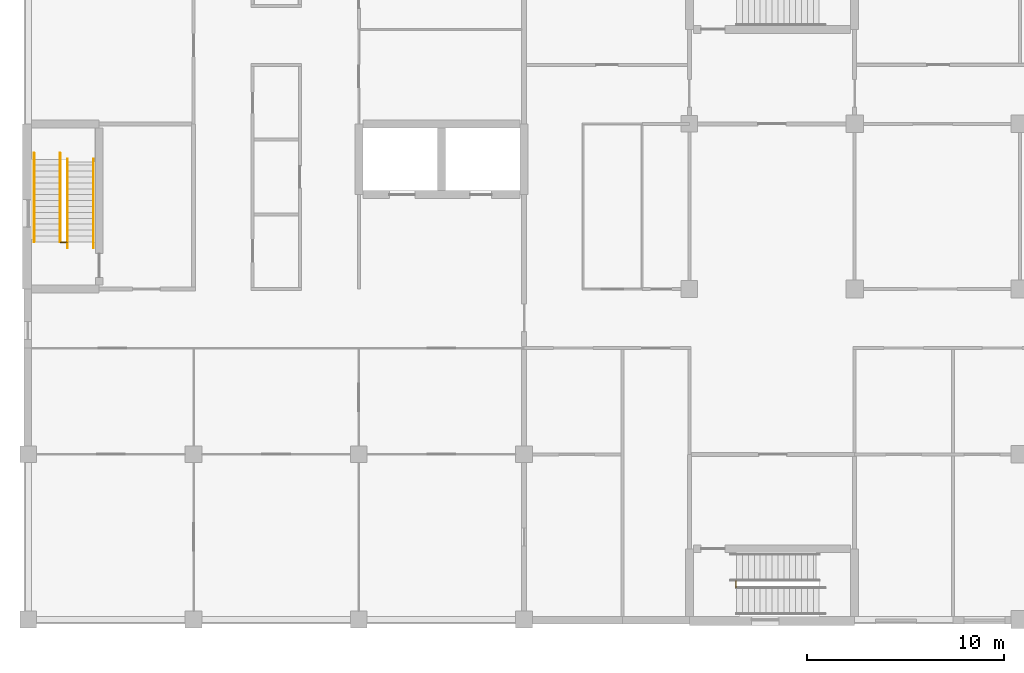
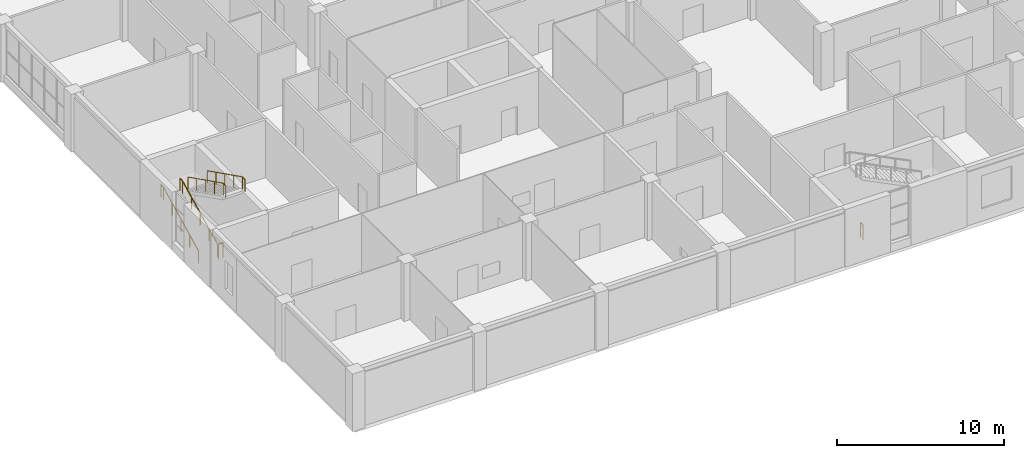
# One storey, part 57 of 66: 6 railings.
"""IFC4 building model written with IfcOpenShell, lengths in metres."""

from ifc_helpers import new_model, si_unit, direction, frame, origin, origin_2d, place, context, subcontext, project, spatial, circle, extrude, material, type_object, element, save


model = new_model("IFC4")

# Units and contexts
model_context = context("Model", 3, precision=1e-05, world=origin(), true_north=direction((0.0, 1.0)))
body_context = subcontext(model_context, "Body", "Model", "MODEL_VIEW")
ifc_project = project(units=[si_unit("LENGTHUNIT", "METRE"), si_unit("AREAUNIT", "SQUARE_METRE"), si_unit("VOLUMEUNIT", "CUBIC_METRE"), si_unit("PLANEANGLEUNIT", "RADIAN"), si_unit("MASSUNIT", "GRAM", prefix="KILO")], contexts=[model_context])

# Site, building, storey
site_placement = place(None, origin())
site = spatial("IfcSite", under=ifc_project, at=site_placement, CompositionType="ELEMENT")
building_placement = place(site_placement, origin())
building = spatial("IfcBuilding", under=site, at=building_placement, Name="Yavir Park General Hospital", CompositionType="ELEMENT")
storey_placement = place(building_placement, frame((0.0, 0.0, 8.39990234375)))
storey = spatial("IfcBuildingStorey", under=building, at=storey_placement, Name="L02", CompositionType="ELEMENT", Elevation=8.39990234375)

# Railings
ifc_material_1 = material(Name="Steel balustrade with infill rods", Category="steel")
railing_type_1 = type_object("IfcRailingType", Name="Stair guard, steel balustrade 1100 mm", PredefinedType="GUARDRAIL", material=ifc_material_1)
railing_1_placement = place(storey_placement, frame((1.64990234375, 19.169921875, 0.0)))
element("IfcRailing", 1, at=railing_1_placement, inside=storey, type_object=railing_type_1, Name="Stair well guard SU1 L02", PredefinedType="GUARDRAIL", context=body_context, shape_type="SweptSolid", body=[
    extrude(circle(Radius=0.02392578125, at=origin_2d()), frame((0.0, 0.0, 1.076171875), z_axis=(1.0, 0.0, 0.0), x_axis=(0.0, 1.0, 0.0)), (0.0, 0.0, 1.0), 0.300048828125),
    extrude(circle(Radius=0.02099609375, at=origin_2d()), origin(), (0.0, 0.0, 1.0), 1.052001953125),
    extrude(circle(Radius=0.02099609375, at=origin_2d()), frame((0.300048828125, 0.0, 0.0)), (0.0, 0.0, 1.0), 1.052001953125),
])
railing_2_placement = place(storey_placement, frame((35.969970703125, 1.64990234375, 0.0)))
element("IfcRailing", 2, at=railing_2_placement, inside=storey, type_object=railing_type_1, Name="Stair well guard SU2 L02", PredefinedType="GUARDRAIL", context=body_context, shape_type="SweptSolid", body=[
    extrude(circle(Radius=0.02392578125, at=origin_2d()), frame((0.0, 0.0, 1.076171875), z_axis=(0.0, 1.0, 0.0), x_axis=(-1.0, 0.0, 0.0)), (0.0, 0.0, 1.0), 0.300048828125),
    extrude(circle(Radius=0.02099609375, at=origin_2d()), origin(), (0.0, 0.0, 1.0), 1.052001953125),
    extrude(circle(Radius=0.02099609375, at=origin_2d()), frame((0.0, 0.300048828125, 0.0)), (0.0, 0.0, 1.0), 1.052001953125),
])
ifc_material_2 = material(Name="Stainless steel tube 48 mm", Category="steel")
railing_type_2 = type_object("IfcRailingType", Name="Stair handrail, steel tube, 900 mm above the nosings", PredefinedType="HANDRAIL", material=ifc_material_2)
for number, where, name in (
    (3, (0.2900390625, 19.199951171875, 0.150146484375), "Handrail SU1 L02 1"),
    (4, (1.610107421875, 19.199951171875, 0.150146484375), "Handrail SU1 L02 2"),
):
    element("IfcRailing", number, at=place(storey_placement, frame(where)), inside=storey, type_object=railing_type_2, Name=name, PredefinedType="HANDRAIL", context=body_context, shape_type="SweptSolid", body=[
        extrude(circle(Radius=0.02392578125, at=origin_2d()), frame((0.0, 0.0, 0.8759765625), z_axis=(0.0, 0.894437589381, 0.447192798132), x_axis=(-1.0, 0.0, 0.0)), (0.0, 0.0, 1.0), 4.695556640625),
        extrude(circle(Radius=0.02392578125, at=origin_2d()), frame((0.0, 4.199951171875, 2.9755859375), z_axis=(0.0, 1.0, 0.0), x_axis=(-1.0, 0.0, 0.0)), (0.0, 0.0, 1.0), 0.300048828125),
        extrude(circle(Radius=0.02099609375, at=origin_2d()), origin(), (0.0, 0.0, 1.0), 0.851806640625),
        extrude(circle(Radius=0.02099609375, at=origin_2d()), frame((0.0, 1.050048828125, 0.52490234375)), (0.0, 0.0, 1.0), 0.851806640625),
        extrude(circle(Radius=0.02099609375, at=origin_2d()), frame((0.0, 2.10009765625, 1.0498046875)), (0.0, 0.0, 1.0), 0.851806640625),
        extrude(circle(Radius=0.02099609375, at=origin_2d()), frame((0.0, 3.14990234375, 1.574951171875)), (0.0, 0.0, 1.0), 0.851806640625),
        extrude(circle(Radius=0.02099609375, at=origin_2d()), frame((0.0, 4.199951171875, 2.099853515625)), (0.0, 0.0, 1.0), 0.851806640625),
        extrude(circle(Radius=0.02099609375, at=origin_2d()), frame((0.0, 4.5, 2.099853515625)), (0.0, 0.0, 1.0), 0.851806640625),
    ])
for number, where, name in (
    (5, (3.31005859375, 23.39990234375, 2.400146484375), "Handrail SU1 L02 3"),
    (6, (1.989990234375, 23.39990234375, 2.400146484375), "Handrail SU1 L02 4"),
):
    element("IfcRailing", number, at=place(storey_placement, frame(where)), inside=storey, type_object=railing_type_2, Name=name, PredefinedType="HANDRAIL", context=body_context, shape_type="SweptSolid", body=[
        extrude(circle(Radius=0.02392578125, at=origin_2d()), frame((0.0, 0.0, 0.8759765625), z_axis=(0.0, -0.894437589381, 0.447192798132), x_axis=(1.0, 0.0, 0.0)), (0.0, 0.0, 1.0), 4.695556640625),
        extrude(circle(Radius=0.02392578125, at=origin_2d()), frame((0.0, -4.199951171875, 2.9755859375), z_axis=(0.0, -1.0, 0.0), x_axis=(1.0, 0.0, 0.0)), (0.0, 0.0, 1.0), 0.300048828125),
        extrude(circle(Radius=0.02099609375, at=origin_2d()), origin(), (0.0, 0.0, 1.0), 0.851806640625),
        extrude(circle(Radius=0.02099609375, at=origin_2d()), frame((0.0, -1.050048828125, 0.52490234375)), (0.0, 0.0, 1.0), 0.851806640625),
        extrude(circle(Radius=0.02099609375, at=origin_2d()), frame((0.0, -2.10009765625, 1.0498046875)), (0.0, 0.0, 1.0), 0.851806640625),
        extrude(circle(Radius=0.02099609375, at=origin_2d()), frame((0.0, -3.14990234375, 1.574951171875)), (0.0, 0.0, 1.0), 0.851806640625),
        extrude(circle(Radius=0.02099609375, at=origin_2d()), frame((0.0, -4.199951171875, 2.099853515625)), (0.0, 0.0, 1.0), 0.851806640625),
        extrude(circle(Radius=0.02099609375, at=origin_2d()), frame((0.0, -4.5, 2.099853515625)), (0.0, 0.0, 1.0), 0.851806640625),
    ])

save(model, "model.ifc")
